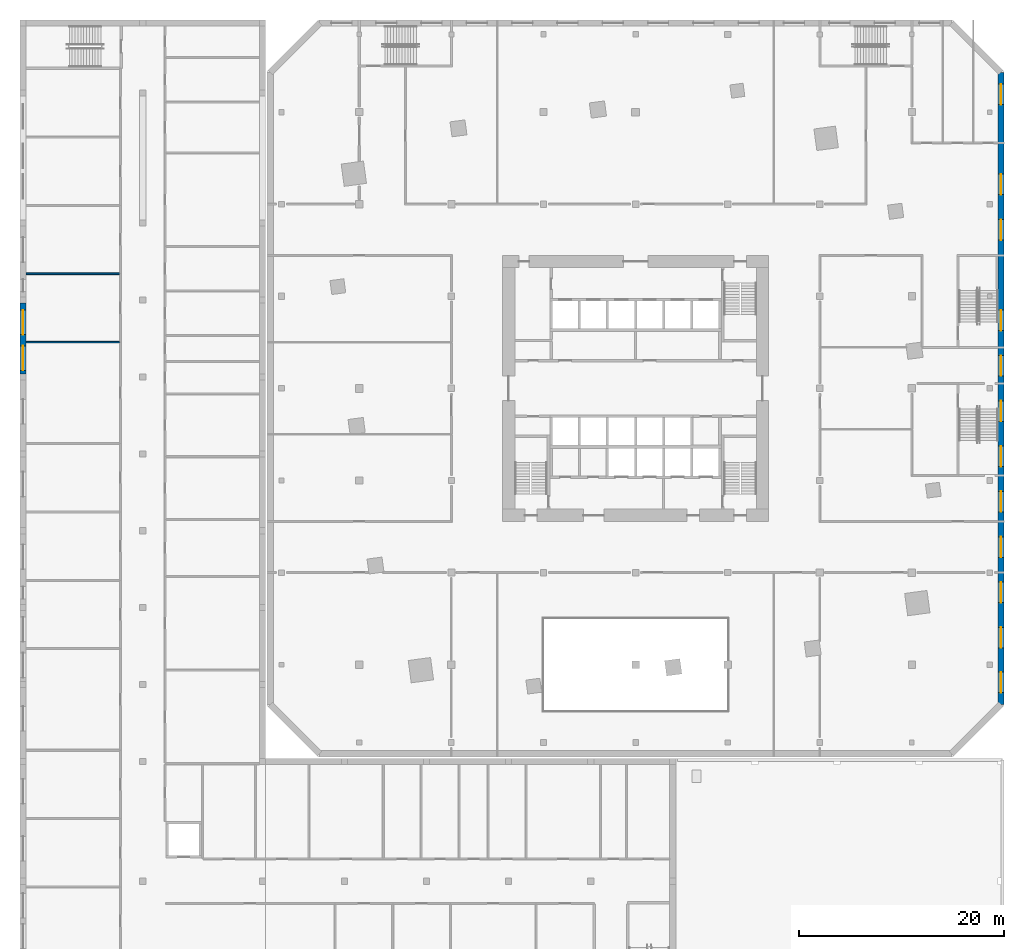
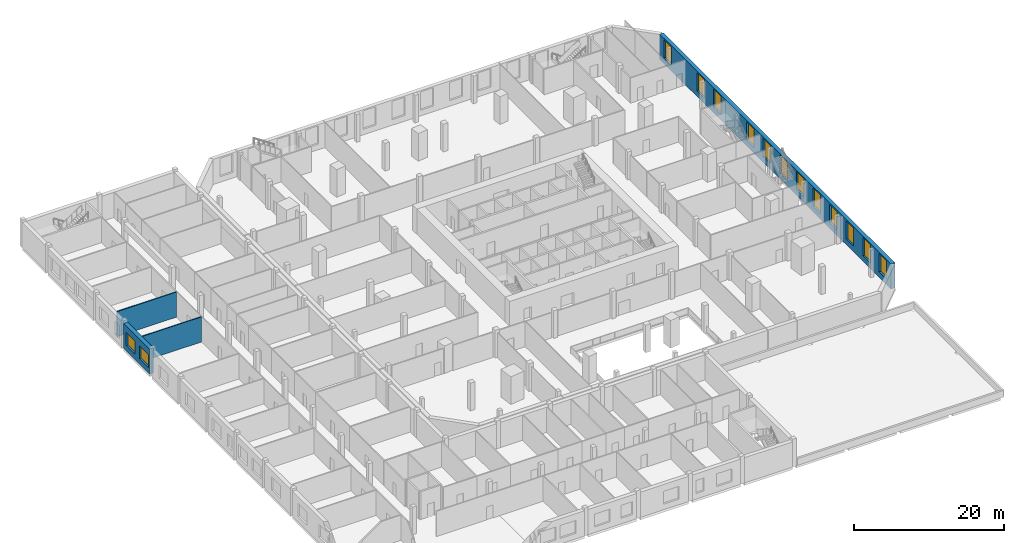
# One storey, part 9 of 20: 14 windows, 4 walls, 14 openings.
"""IFC4 building model written with IfcOpenShell, lengths in metres."""

from ifc_helpers import new_model, si_unit, direction, frame, frame_2d, origin, place, context, subcontext, project, spatial, rectangle, extrude, material, layer, layer_set, type_object, element, fill, save


model = new_model("IFC4")

# Units and contexts
model_context = context("Model", 3, precision=1e-05, world=origin(), true_north=direction((0.0, 1.0)))
body_context = subcontext(model_context, "Body", "Model", "MODEL_VIEW")
ifc_project = project(units=[si_unit("LENGTHUNIT", "METRE"), si_unit("AREAUNIT", "SQUARE_METRE"), si_unit("VOLUMEUNIT", "CUBIC_METRE"), si_unit("PLANEANGLEUNIT", "RADIAN"), si_unit("MASSUNIT", "GRAM", prefix="KILO")], contexts=[model_context])

# Site, building, storey
site_placement = place(None, origin())
site = spatial("IfcSite", under=ifc_project, at=site_placement, CompositionType="ELEMENT")
building_placement = place(site_placement, origin())
building = spatial("IfcBuilding", under=site, at=building_placement, Name="Dilmun Exchange Tower", CompositionType="ELEMENT")
storey_placement = place(building_placement, frame((0.0, 0.0, 9.0)))
storey = spatial("IfcBuildingStorey", under=building, at=storey_placement, Name="L02", CompositionType="ELEMENT", Elevation=9.0)

# Wall, openings, windows
ifc_material_1 = material(Name="Precast concrete C50/60", Category="concrete")
ifc_layer_1 = layer(ifc_material_1, 0.60009765625)
ifc_layer_set_1 = layer_set([ifc_layer_1], Name="Precast concrete C50/60")
wall_type_1 = type_object("IfcWallType", Name="Precast stone-clad wall 600", PredefinedType="STANDARD", material=ifc_layer_set_1)
wall_1_placement = place(storey_placement, frame((35.699951171875, -30.875732421875, 0.0), z_axis=(0.0, 0.0, 1.0), x_axis=(0.0, 1.0, 0.0)))
wall_1 = element("IfcWall", 1, at=wall_1_placement, inside=storey, type_object=wall_type_1, Name="Facade wall L02-02-0", PredefinedType="STANDARD", context=body_context, shape_type="SweptSolid", body=[
    extrude(rectangle(XDim=61.75146484375, YDim=0.60009765625, at=frame_2d((30.875732421875, 0.0))), origin(), (0.0, 0.0, 1.0), 4.10009765625),
])
opening_1_placement = place(wall_1_placement, frame((1.152099609375, 0.0, 0.89990234375)))
opening_1 = element("IfcOpeningElement", 2, at=opening_1_placement, cuts=wall_1, Name="Opening W200-300", PredefinedType="OPENING", context=body_context, shape_type="SweptSolid", body=[
    extrude(rectangle(XDim=2.0, YDim=3.0, at=frame_2d((1.0, 1.5))), frame((0.0, 0.31005859375, 0.0), z_axis=(0.0, -1.0, 0.0), x_axis=(1.0, 0.0, 0.0)), (0.0, 0.0, 1.0), 0.6201171875),
])
opening_2_placement = place(wall_1_placement, frame((5.5185546875, 0.0, 0.89990234375)))
opening_2 = element("IfcOpeningElement", 3, at=opening_2_placement, cuts=wall_1, Name="Opening W200-300", PredefinedType="OPENING", context=body_context, shape_type="SweptSolid", body=[
    extrude(rectangle(XDim=2.0, YDim=3.0, at=frame_2d((1.0, 1.5))), frame((0.0, 0.31005859375, 0.0), z_axis=(0.0, -1.0, 0.0), x_axis=(1.0, 0.0, 0.0)), (0.0, 0.0, 1.0), 0.6201171875),
])
opening_3_placement = place(wall_1_placement, frame((9.947265625, 0.0, 0.89990234375)))
opening_3 = element("IfcOpeningElement", 4, at=opening_3_placement, cuts=wall_1, Name="Opening W200-300", PredefinedType="OPENING", context=body_context, shape_type="SweptSolid", body=[
    extrude(rectangle(XDim=2.0, YDim=3.0, at=frame_2d((1.0, 1.5))), frame((0.0, 0.31005859375, 0.0), z_axis=(0.0, -1.0, 0.0), x_axis=(1.0, 0.0, 0.0)), (0.0, 0.0, 1.0), 0.6201171875),
])
opening_4_placement = place(wall_1_placement, frame((14.375732421875, 0.0, 0.89990234375)))
opening_4 = element("IfcOpeningElement", 5, at=opening_4_placement, cuts=wall_1, Name="Opening W200-300", PredefinedType="OPENING", context=body_context, shape_type="SweptSolid", body=[
    extrude(rectangle(XDim=2.0, YDim=3.0, at=frame_2d((1.0, 1.5))), frame((0.0, 0.31005859375, 0.0), z_axis=(0.0, -1.0, 0.0), x_axis=(1.0, 0.0, 0.0)), (0.0, 0.0, 1.0), 0.6201171875),
])
opening_5_placement = place(wall_1_placement, frame((18.80419921875, 0.0, 0.89990234375)))
opening_5 = element("IfcOpeningElement", 6, at=opening_5_placement, cuts=wall_1, Name="Opening W200-300", PredefinedType="OPENING", context=body_context, shape_type="SweptSolid", body=[
    extrude(rectangle(XDim=2.0, YDim=3.0, at=frame_2d((1.0, 1.5))), frame((0.0, 0.31005859375, 0.0), z_axis=(0.0, -1.0, 0.0), x_axis=(1.0, 0.0, 0.0)), (0.0, 0.0, 1.0), 0.6201171875),
])
opening_6_placement = place(wall_1_placement, frame((23.23291015625, 0.0, 0.89990234375)))
opening_6 = element("IfcOpeningElement", 7, at=opening_6_placement, cuts=wall_1, Name="Opening W200-300", PredefinedType="OPENING", context=body_context, shape_type="SweptSolid", body=[
    extrude(rectangle(XDim=2.0, YDim=3.0, at=frame_2d((1.0, 1.5))), frame((0.0, 0.31005859375, 0.0), z_axis=(0.0, -1.0, 0.0), x_axis=(1.0, 0.0, 0.0)), (0.0, 0.0, 1.0), 0.6201171875),
])
opening_7_placement = place(wall_1_placement, frame((27.66162109375, 0.0, 0.89990234375)))
opening_7 = element("IfcOpeningElement", 8, at=opening_7_placement, cuts=wall_1, Name="Opening W200-300", PredefinedType="OPENING", context=body_context, shape_type="SweptSolid", body=[
    extrude(rectangle(XDim=2.0, YDim=3.0, at=frame_2d((1.0, 1.5))), frame((0.0, 0.31005859375, 0.0), z_axis=(0.0, -1.0, 0.0), x_axis=(1.0, 0.0, 0.0)), (0.0, 0.0, 1.0), 0.6201171875),
])
opening_8_placement = place(wall_1_placement, frame((32.090087890625, 0.0, 0.89990234375)))
opening_8 = element("IfcOpeningElement", 9, at=opening_8_placement, cuts=wall_1, Name="Opening W200-300", PredefinedType="OPENING", context=body_context, shape_type="SweptSolid", body=[
    extrude(rectangle(XDim=2.0, YDim=3.0, at=frame_2d((1.0, 1.5))), frame((0.0, 0.31005859375, 0.0), z_axis=(0.0, -1.0, 0.0), x_axis=(1.0, 0.0, 0.0)), (0.0, 0.0, 1.0), 0.6201171875),
])
opening_9_placement = place(wall_1_placement, frame((36.5185546875, 0.0, 0.89990234375)))
opening_9 = element("IfcOpeningElement", 10, at=opening_9_placement, cuts=wall_1, Name="Opening W200-300", PredefinedType="OPENING", context=body_context, shape_type="SweptSolid", body=[
    extrude(rectangle(XDim=2.0, YDim=3.0, at=frame_2d((1.0, 1.5))), frame((0.0, 0.31005859375, 0.0), z_axis=(0.0, -1.0, 0.0), x_axis=(1.0, 0.0, 0.0)), (0.0, 0.0, 1.0), 0.6201171875),
])
opening_10_placement = place(wall_1_placement, frame((45.375732421875, 0.0, 0.89990234375)))
opening_10 = element("IfcOpeningElement", 11, at=opening_10_placement, cuts=wall_1, Name="Opening W200-300", PredefinedType="OPENING", context=body_context, shape_type="SweptSolid", body=[
    extrude(rectangle(XDim=2.0, YDim=3.0, at=frame_2d((1.0, 1.5))), frame((0.0, 0.31005859375, 0.0), z_axis=(0.0, -1.0, 0.0), x_axis=(1.0, 0.0, 0.0)), (0.0, 0.0, 1.0), 0.6201171875),
])
opening_11_placement = place(wall_1_placement, frame((49.80419921875, 0.0, 0.89990234375)))
opening_11 = element("IfcOpeningElement", 12, at=opening_11_placement, cuts=wall_1, Name="Opening W200-300", PredefinedType="OPENING", context=body_context, shape_type="SweptSolid", body=[
    extrude(rectangle(XDim=2.0, YDim=3.0, at=frame_2d((1.0, 1.5))), frame((0.0, 0.31005859375, 0.0), z_axis=(0.0, -1.0, 0.0), x_axis=(1.0, 0.0, 0.0)), (0.0, 0.0, 1.0), 0.6201171875),
])
opening_12_placement = place(wall_1_placement, frame((58.599365234375, 0.0, 0.89990234375)))
opening_12 = element("IfcOpeningElement", 13, at=opening_12_placement, cuts=wall_1, Name="Opening W200-300", PredefinedType="OPENING", context=body_context, shape_type="SweptSolid", body=[
    extrude(rectangle(XDim=2.0, YDim=3.0, at=frame_2d((1.0, 1.5))), frame((0.0, 0.31005859375, 0.0), z_axis=(0.0, -1.0, 0.0), x_axis=(1.0, 0.0, 0.0)), (0.0, 0.0, 1.0), 0.6201171875),
])
ifc_material_2 = material(Name="Clear low-emissivity glass in aluminium frame", Category="aluminium")
window_type_1 = type_object("IfcWindowType", Name="Punched window 2000 x 3000", PartitioningType="DOUBLE_PANEL_VERTICAL", PredefinedType="WINDOW", material=ifc_material_2)
window_1_placement = place(opening_1_placement, origin())
window_1 = element("IfcWindow", 14, at=window_1_placement, inside=storey, type_object=window_type_1, Name="Window 3.1", OverallHeight=3.0, OverallWidth=2.0, PartitioningType="SINGLE_PANEL", PredefinedType="WINDOW", context=body_context, shape_type="SweptSolid", body=[
    extrude(rectangle(XDim=2.0, YDim=3.0, at=frame_2d((1.0, 1.5))), frame((0.0, 0.030029296875, 0.0), z_axis=(0.0, -1.0, 0.0), x_axis=(1.0, 0.0, 0.0)), (0.0, 0.0, 1.0), 0.06005859375),
])
fill(opening_1, window_1)
window_2_placement = place(opening_2_placement, origin())
window_2 = element("IfcWindow", 15, at=window_2_placement, inside=storey, type_object=window_type_1, Name="Window 3.2", OverallHeight=3.0, OverallWidth=2.0, PartitioningType="SINGLE_PANEL", PredefinedType="WINDOW", context=body_context, shape_type="SweptSolid", body=[
    extrude(rectangle(XDim=2.0, YDim=3.0, at=frame_2d((1.0, 1.5))), frame((0.0, 0.030029296875, 0.0), z_axis=(0.0, -1.0, 0.0), x_axis=(1.0, 0.0, 0.0)), (0.0, 0.0, 1.0), 0.06005859375),
])
fill(opening_2, window_2)
window_3_placement = place(opening_3_placement, origin())
window_3 = element("IfcWindow", 16, at=window_3_placement, inside=storey, type_object=window_type_1, Name="Window 3.3", OverallHeight=3.0, OverallWidth=2.0, PartitioningType="SINGLE_PANEL", PredefinedType="WINDOW", context=body_context, shape_type="SweptSolid", body=[
    extrude(rectangle(XDim=2.0, YDim=3.0, at=frame_2d((1.0, 1.5))), frame((0.0, 0.030029296875, 0.0), z_axis=(0.0, -1.0, 0.0), x_axis=(1.0, 0.0, 0.0)), (0.0, 0.0, 1.0), 0.06005859375),
])
fill(opening_3, window_3)
window_4_placement = place(opening_4_placement, origin())
window_4 = element("IfcWindow", 17, at=window_4_placement, inside=storey, type_object=window_type_1, Name="Window 3.4", OverallHeight=3.0, OverallWidth=2.0, PartitioningType="SINGLE_PANEL", PredefinedType="WINDOW", context=body_context, shape_type="SweptSolid", body=[
    extrude(rectangle(XDim=2.0, YDim=3.0, at=frame_2d((1.0, 1.5))), frame((0.0, 0.030029296875, 0.0), z_axis=(0.0, -1.0, 0.0), x_axis=(1.0, 0.0, 0.0)), (0.0, 0.0, 1.0), 0.06005859375),
])
fill(opening_4, window_4)
window_5_placement = place(opening_5_placement, origin())
window_5 = element("IfcWindow", 18, at=window_5_placement, inside=storey, type_object=window_type_1, Name="Window 3.5", OverallHeight=3.0, OverallWidth=2.0, PartitioningType="SINGLE_PANEL", PredefinedType="WINDOW", context=body_context, shape_type="SweptSolid", body=[
    extrude(rectangle(XDim=2.0, YDim=3.0, at=frame_2d((1.0, 1.5))), frame((0.0, 0.030029296875, 0.0), z_axis=(0.0, -1.0, 0.0), x_axis=(1.0, 0.0, 0.0)), (0.0, 0.0, 1.0), 0.06005859375),
])
fill(opening_5, window_5)
window_6_placement = place(opening_6_placement, origin())
window_6 = element("IfcWindow", 19, at=window_6_placement, inside=storey, type_object=window_type_1, Name="Window 3.6", OverallHeight=3.0, OverallWidth=2.0, PartitioningType="SINGLE_PANEL", PredefinedType="WINDOW", context=body_context, shape_type="SweptSolid", body=[
    extrude(rectangle(XDim=2.0, YDim=3.0, at=frame_2d((1.0, 1.5))), frame((0.0, 0.030029296875, 0.0), z_axis=(0.0, -1.0, 0.0), x_axis=(1.0, 0.0, 0.0)), (0.0, 0.0, 1.0), 0.06005859375),
])
fill(opening_6, window_6)
window_7_placement = place(opening_7_placement, origin())
window_7 = element("IfcWindow", 20, at=window_7_placement, inside=storey, type_object=window_type_1, Name="Window 3.7", OverallHeight=3.0, OverallWidth=2.0, PartitioningType="SINGLE_PANEL", PredefinedType="WINDOW", context=body_context, shape_type="SweptSolid", body=[
    extrude(rectangle(XDim=2.0, YDim=3.0, at=frame_2d((1.0, 1.5))), frame((0.0, 0.030029296875, 0.0), z_axis=(0.0, -1.0, 0.0), x_axis=(1.0, 0.0, 0.0)), (0.0, 0.0, 1.0), 0.06005859375),
])
fill(opening_7, window_7)
window_8_placement = place(opening_8_placement, origin())
window_8 = element("IfcWindow", 21, at=window_8_placement, inside=storey, type_object=window_type_1, Name="Window 3.8", OverallHeight=3.0, OverallWidth=2.0, PartitioningType="SINGLE_PANEL", PredefinedType="WINDOW", context=body_context, shape_type="SweptSolid", body=[
    extrude(rectangle(XDim=2.0, YDim=3.0, at=frame_2d((1.0, 1.5))), frame((0.0, 0.030029296875, 0.0), z_axis=(0.0, -1.0, 0.0), x_axis=(1.0, 0.0, 0.0)), (0.0, 0.0, 1.0), 0.06005859375),
])
fill(opening_8, window_8)
window_9_placement = place(opening_9_placement, origin())
window_9 = element("IfcWindow", 22, at=window_9_placement, inside=storey, type_object=window_type_1, Name="Window 3.9", OverallHeight=3.0, OverallWidth=2.0, PartitioningType="SINGLE_PANEL", PredefinedType="WINDOW", context=body_context, shape_type="SweptSolid", body=[
    extrude(rectangle(XDim=2.0, YDim=3.0, at=frame_2d((1.0, 1.5))), frame((0.0, 0.030029296875, 0.0), z_axis=(0.0, -1.0, 0.0), x_axis=(1.0, 0.0, 0.0)), (0.0, 0.0, 1.0), 0.06005859375),
])
fill(opening_9, window_9)
window_10_placement = place(opening_10_placement, origin())
window_10 = element("IfcWindow", 23, at=window_10_placement, inside=storey, type_object=window_type_1, Name="Window 3.11", OverallHeight=3.0, OverallWidth=2.0, PartitioningType="SINGLE_PANEL", PredefinedType="WINDOW", context=body_context, shape_type="SweptSolid", body=[
    extrude(rectangle(XDim=2.0, YDim=3.0, at=frame_2d((1.0, 1.5))), frame((0.0, 0.030029296875, 0.0), z_axis=(0.0, -1.0, 0.0), x_axis=(1.0, 0.0, 0.0)), (0.0, 0.0, 1.0), 0.06005859375),
])
fill(opening_10, window_10)
window_11_placement = place(opening_11_placement, origin())
window_11 = element("IfcWindow", 24, at=window_11_placement, inside=storey, type_object=window_type_1, Name="Window 3.12", OverallHeight=3.0, OverallWidth=2.0, PartitioningType="SINGLE_PANEL", PredefinedType="WINDOW", context=body_context, shape_type="SweptSolid", body=[
    extrude(rectangle(XDim=2.0, YDim=3.0, at=frame_2d((1.0, 1.5))), frame((0.0, 0.030029296875, 0.0), z_axis=(0.0, -1.0, 0.0), x_axis=(1.0, 0.0, 0.0)), (0.0, 0.0, 1.0), 0.06005859375),
])
fill(opening_11, window_11)
window_12_placement = place(opening_12_placement, origin())
window_12 = element("IfcWindow", 25, at=window_12_placement, inside=storey, type_object=window_type_1, Name="Window 3.14", OverallHeight=3.0, OverallWidth=2.0, PartitioningType="SINGLE_PANEL", PredefinedType="WINDOW", context=body_context, shape_type="SweptSolid", body=[
    extrude(rectangle(XDim=2.0, YDim=3.0, at=frame_2d((1.0, 1.5))), frame((0.0, 0.030029296875, 0.0), z_axis=(0.0, -1.0, 0.0), x_axis=(1.0, 0.0, 0.0)), (0.0, 0.0, 1.0), 0.06005859375),
])
fill(opening_12, window_12)

ifc_material_3 = material(Name="Precast concrete C40/50", Category="concrete")
ifc_layer_2 = layer(ifc_material_3, 0.60009765625)
ifc_layer_set_2 = layer_set([ifc_layer_2], Name="Precast concrete C40/50")
wall_type_2 = type_object("IfcWallType", Name="School external wall 600 precast C40/50", PredefinedType="STANDARD", material=ifc_layer_set_2)
wall_2_placement = place(storey_placement, frame((-59.85009765625, 1.42138671875, 0.0), z_axis=(0.0, 0.0, 1.0), x_axis=(0.0, 1.0, 0.0)))
wall_2 = element("IfcWall", 26, at=wall_2_placement, inside=storey, type_object=wall_type_2, Name="School external wall", PredefinedType="STANDARD", context=body_context, shape_type="SweptSolid", body=[
    extrude(rectangle(XDim=6.914306640625, YDim=0.60009765625, at=frame_2d((3.45703125, 0.0))), origin(), (0.0, 0.0, 1.0), 4.10009765625),
])
opening_13_placement = place(wall_2_placement, frame((0.333251953125, 0.0, 0.89990234375)))
opening_13 = element("IfcOpeningElement", 27, at=opening_13_placement, cuts=wall_2, Name="Opening SCH-W24", PredefinedType="OPENING", context=body_context, shape_type="SweptSolid", body=[
    extrude(rectangle(XDim=2.39990234375, YDim=2.10009765625, at=frame_2d((1.199951171875, 1.050048828125))), frame((0.0, 0.31005859375, 0.0), z_axis=(0.0, -1.0, 0.0), x_axis=(1.0, 0.0, 0.0)), (0.0, 0.0, 1.0), 0.6201171875),
])
opening_14_placement = place(wall_2_placement, frame((3.835205078125, 0.0, 0.89990234375)))
opening_14 = element("IfcOpeningElement", 28, at=opening_14_placement, cuts=wall_2, Name="Opening SCH-W24", PredefinedType="OPENING", context=body_context, shape_type="SweptSolid", body=[
    extrude(rectangle(XDim=2.39990234375, YDim=2.10009765625, at=frame_2d((1.199951171875, 1.050048828125))), frame((0.0, 0.31005859375, 0.0), z_axis=(0.0, -1.0, 0.0), x_axis=(1.0, 0.0, 0.0)), (0.0, 0.0, 1.0), 0.6201171875),
])
window_type_2 = type_object("IfcWindowType", Name="School window 2400 x 2100", PartitioningType="DOUBLE_PANEL_VERTICAL", PredefinedType="WINDOW", material=ifc_material_2)
window_13_placement = place(opening_13_placement, origin())
window_13 = element("IfcWindow", 29, at=window_13_placement, inside=storey, type_object=window_type_2, Name="School window", OverallHeight=2.10009765625, OverallWidth=2.39990234375, PartitioningType="SINGLE_PANEL", PredefinedType="WINDOW", context=body_context, shape_type="SweptSolid", body=[
    extrude(rectangle(XDim=2.39990234375, YDim=2.10009765625, at=frame_2d((1.199951171875, 1.050048828125))), frame((0.0, 0.030029296875, 0.0), z_axis=(0.0, -1.0, 0.0), x_axis=(1.0, 0.0, 0.0)), (0.0, 0.0, 1.0), 0.06005859375),
])
fill(opening_13, window_13)
window_14_placement = place(opening_14_placement, origin())
window_14 = element("IfcWindow", 30, at=window_14_placement, inside=storey, type_object=window_type_2, Name="School window", OverallHeight=2.10009765625, OverallWidth=2.39990234375, PartitioningType="SINGLE_PANEL", PredefinedType="WINDOW", context=body_context, shape_type="SweptSolid", body=[
    extrude(rectangle(XDim=2.39990234375, YDim=2.10009765625, at=frame_2d((1.199951171875, 1.050048828125))), frame((0.0, 0.030029296875, 0.0), z_axis=(0.0, -1.0, 0.0), x_axis=(1.0, 0.0, 0.0)), (0.0, 0.0, 1.0), 0.06005859375),
])
fill(opening_14, window_14)

# Walls
ifc_material_4 = material(Name="Gypsum board on steel studs", Category="steel")
ifc_layer_3 = layer(ifc_material_4, 0.14990234375)
ifc_layer_set_3 = layer_set([ifc_layer_3], Name="Gypsum board on steel studs")
wall_type_3 = type_object("IfcWallType", Name="School partition 150 gypsum board", PredefinedType="PARTITIONING", material=ifc_layer_set_3)
for number, where, z_axis, x_axis, name in (
    (31, (-59.550048828125, 4.53271484375, 0.0), (0.0, 0.0, 1.0), (1.0, 0.0, 0.0), "School partition"),
    (32, (-59.550048828125, 11.205810546875, 0.0), (0.0, 0.0, 1.0), (1.0, 0.0, 0.0), "School partition"),
):
    element("IfcWall", number, at=place(storey_placement, frame(where, z_axis=z_axis, x_axis=x_axis)), inside=storey, type_object=wall_type_3, Name=name, PredefinedType="PARTITIONING", context=body_context, shape_type="SweptSolid", body=[
        extrude(rectangle(XDim=9.150146484375, YDim=0.14990234375, at=frame_2d((4.5751953125, 0.0))), origin(), (0.0, 0.0, 1.0), 4.10009765625),
    ])

save(model, "model.ifc")
